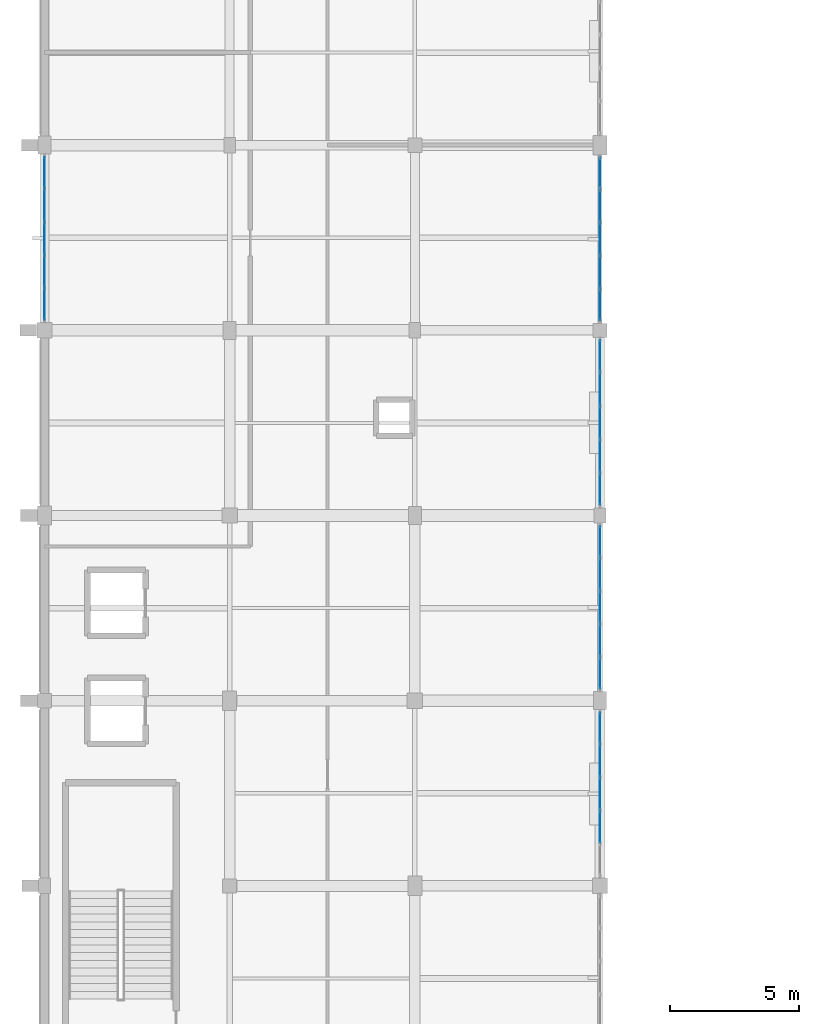
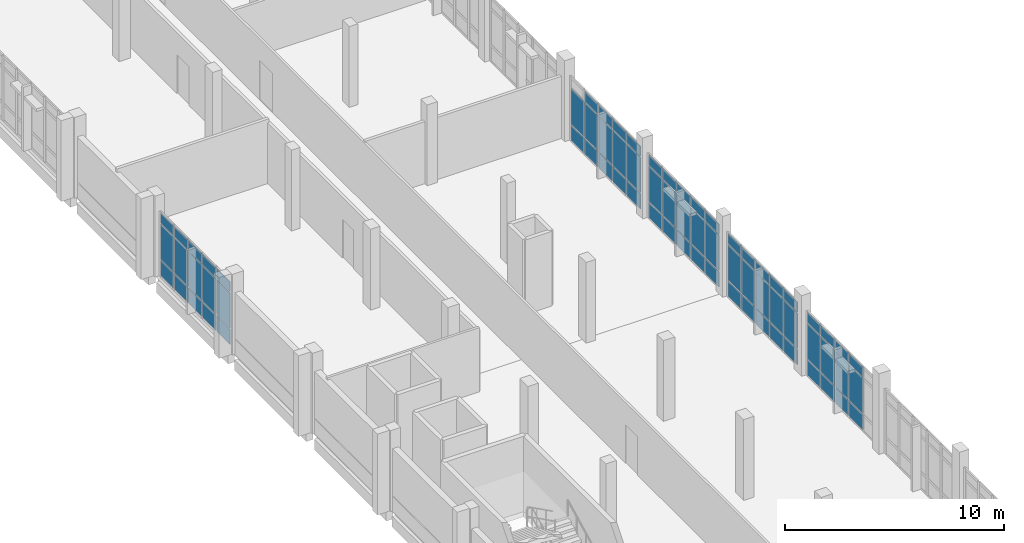
# One storey, part 41 of 57: 71 plates, 5 elements without a shape of their own.
"""IFC4 building model written with IfcOpenShell, lengths in metres."""

from ifc_helpers import new_model, si_unit, direction, frame, origin, origin_2d, place, context, subcontext, project, spatial, rectangle, extrude, material, layer, layer_set, type_object, element, aggregate, save


model = new_model("IFC4")

# Units and contexts
model_context = context("Model", 3, precision=1e-05, world=origin(), true_north=direction((0.0, 1.0)))
body_context = subcontext(model_context, "Body", "Model", "MODEL_VIEW")
ifc_project = project(units=[si_unit("LENGTHUNIT", "METRE"), si_unit("AREAUNIT", "SQUARE_METRE"), si_unit("VOLUMEUNIT", "CUBIC_METRE"), si_unit("PLANEANGLEUNIT", "RADIAN"), si_unit("MASSUNIT", "GRAM", prefix="KILO")], contexts=[model_context])

# Site, building, storey
site_placement = place(None, origin())
site = spatial("IfcSite", under=ifc_project, at=site_placement, CompositionType="ELEMENT")
building_placement = place(site_placement, origin())
building = spatial("IfcBuilding", under=site, at=building_placement, Name="Kalluvel Institute of Natural Sciences", CompositionType="ELEMENT")
storey_placement = place(building_placement, frame((0.0, 0.0, 23.39990234375)))
storey = spatial("IfcBuildingStorey", under=building, at=storey_placement, Name="L05", CompositionType="ELEMENT", Elevation=23.39990234375)

# Curtain wall, plates
ifc_material_1 = material(Name="Aluminium AW-6063 T6", Category="aluminium")
curtain_wall_type = type_object("IfcCurtainWallType", Name="CW-DRY-45", PredefinedType="USERDEFINED", material=ifc_material_1)
curtain_wall_1_placement = place(storey_placement, origin())
curtain_wall_1 = element("IfcCurtainWall", 1, at=curtain_wall_1_placement, inside=storey, type_object=curtain_wall_type, Name="L05 Gothic lancet curtain wall CWA-L05-X140-Y720", ObjectType="UNITISED LANCET FACADE", PredefinedType="USERDEFINED")
ifc_material_2 = material(Name="Solar-Control Low-E Laminated Glass", Category="glass")
ifc_layer = layer(ifc_material_2, 0.031982421875)
ifc_layer_set = layer_set([ifc_layer], Name="Solar-Control Low-E Laminated Glass")
plate_type = type_object("IfcPlateType", Name="CWP-DGU-32", PredefinedType="CURTAIN_PANEL", material=ifc_layer_set)
plate_1_placement = place(storey_placement, frame((14.0, 72.611328125, 0.065185546875), z_axis=(0.0, 0.0, 1.0), x_axis=(0.0, 1.0, 0.0)))
plate_1 = element("IfcPlate", 2, at=plate_1_placement, type_object=plate_type, Name="CW-03 panel 1.1", PredefinedType="CURTAIN_PANEL", context=body_context, shape_type="SweptSolid", body=[
    extrude(rectangle(XDim=1.1923828125, YDim=0.031982421875, at=origin_2d()), origin(), (0.0, 0.0, 1.0), 0.8525390625),
])
plate_2_placement = place(storey_placement, frame((14.0, 72.611328125, 0.982666015625), z_axis=(0.0, 0.0, 1.0), x_axis=(0.0, 1.0, 0.0)))
plate_2 = element("IfcPlate", 3, at=plate_2_placement, type_object=plate_type, Name="CW-03 panel 1.2", PredefinedType="CURTAIN_PANEL", context=body_context, shape_type="SweptSolid", body=[
    extrude(rectangle(XDim=1.1923828125, YDim=0.031982421875, at=origin_2d()), origin(), (0.0, 0.0, 1.0), 1.955078125),
])
plate_3_placement = place(storey_placement, frame((14.0, 72.611328125, 3.00244140625), z_axis=(0.0, 0.0, 1.0), x_axis=(0.0, 1.0, 0.0)))
plate_3 = element("IfcPlate", 4, at=plate_3_placement, type_object=plate_type, Name="CW-03 panel 1.3", PredefinedType="CURTAIN_PANEL", context=body_context, shape_type="SweptSolid", body=[
    extrude(rectangle(XDim=1.1923828125, YDim=0.031982421875, at=origin_2d()), origin(), (0.0, 0.0, 1.0), 0.552490234375),
])
plate_4_placement = place(storey_placement, frame((14.0, 73.885009765625, 0.065185546875), z_axis=(0.0, 0.0, 1.0), x_axis=(0.0, 1.0, 0.0)))
plate_4 = element("IfcPlate", 5, at=plate_4_placement, type_object=plate_type, Name="CW-03 panel 2.1", PredefinedType="CURTAIN_PANEL", context=body_context, shape_type="SweptSolid", body=[
    extrude(rectangle(XDim=1.22509765625, YDim=0.031982421875, at=origin_2d()), origin(), (0.0, 0.0, 1.0), 0.8525390625),
])
plate_5_placement = place(storey_placement, frame((14.0, 73.885009765625, 0.982666015625), z_axis=(0.0, 0.0, 1.0), x_axis=(0.0, 1.0, 0.0)))
plate_5 = element("IfcPlate", 6, at=plate_5_placement, type_object=plate_type, Name="CW-03 panel 2.2", PredefinedType="CURTAIN_PANEL", context=body_context, shape_type="SweptSolid", body=[
    extrude(rectangle(XDim=1.22509765625, YDim=0.031982421875, at=origin_2d()), origin(), (0.0, 0.0, 1.0), 1.955078125),
])
plate_6_placement = place(storey_placement, frame((14.0, 73.885009765625, 3.00244140625), z_axis=(0.0, 0.0, 1.0), x_axis=(0.0, 1.0, 0.0)))
plate_6 = element("IfcPlate", 7, at=plate_6_placement, type_object=plate_type, Name="CW-03 panel 2.3", PredefinedType="CURTAIN_PANEL", context=body_context, shape_type="SweptSolid", body=[
    extrude(rectangle(XDim=1.22509765625, YDim=0.031982421875, at=origin_2d()), origin(), (0.0, 0.0, 1.0), 0.552490234375),
])
plate_7_placement = place(storey_placement, frame((14.0, 75.175048828125, 0.065185546875), z_axis=(0.0, 0.0, 1.0), x_axis=(0.0, 1.0, 0.0)))
plate_7 = element("IfcPlate", 8, at=plate_7_placement, type_object=plate_type, Name="CW-03 panel 3.1", PredefinedType="CURTAIN_PANEL", context=body_context, shape_type="SweptSolid", body=[
    extrude(rectangle(XDim=1.22509765625, YDim=0.031982421875, at=origin_2d()), origin(), (0.0, 0.0, 1.0), 0.8525390625),
])
plate_8_placement = place(storey_placement, frame((14.0, 75.175048828125, 0.982666015625), z_axis=(0.0, 0.0, 1.0), x_axis=(0.0, 1.0, 0.0)))
plate_8 = element("IfcPlate", 9, at=plate_8_placement, type_object=plate_type, Name="CW-03 panel 3.2", PredefinedType="CURTAIN_PANEL", context=body_context, shape_type="SweptSolid", body=[
    extrude(rectangle(XDim=1.22509765625, YDim=0.031982421875, at=origin_2d()), origin(), (0.0, 0.0, 1.0), 1.955078125),
])
plate_9_placement = place(storey_placement, frame((14.0, 75.175048828125, 3.00244140625), z_axis=(0.0, 0.0, 1.0), x_axis=(0.0, 1.0, 0.0)))
plate_9 = element("IfcPlate", 10, at=plate_9_placement, type_object=plate_type, Name="CW-03 panel 3.3", PredefinedType="CURTAIN_PANEL", context=body_context, shape_type="SweptSolid", body=[
    extrude(rectangle(XDim=1.22509765625, YDim=0.031982421875, at=origin_2d()), origin(), (0.0, 0.0, 1.0), 0.552490234375),
])
plate_10_placement = place(storey_placement, frame((14.0, 76.465087890625, 0.065185546875), z_axis=(0.0, 0.0, 1.0), x_axis=(0.0, 1.0, 0.0)))
plate_10 = element("IfcPlate", 11, at=plate_10_placement, type_object=plate_type, Name="CW-03 panel 4.1", PredefinedType="CURTAIN_PANEL", context=body_context, shape_type="SweptSolid", body=[
    extrude(rectangle(XDim=1.22509765625, YDim=0.031982421875, at=origin_2d()), origin(), (0.0, 0.0, 1.0), 0.8525390625),
])
plate_11_placement = place(storey_placement, frame((14.0, 76.465087890625, 0.982666015625), z_axis=(0.0, 0.0, 1.0), x_axis=(0.0, 1.0, 0.0)))
plate_11 = element("IfcPlate", 12, at=plate_11_placement, type_object=plate_type, Name="CW-03 panel 4.2", PredefinedType="CURTAIN_PANEL", context=body_context, shape_type="SweptSolid", body=[
    extrude(rectangle(XDim=1.22509765625, YDim=0.031982421875, at=origin_2d()), origin(), (0.0, 0.0, 1.0), 1.955078125),
])
plate_12_placement = place(storey_placement, frame((14.0, 76.465087890625, 3.00244140625), z_axis=(0.0, 0.0, 1.0), x_axis=(0.0, 1.0, 0.0)))
plate_12 = element("IfcPlate", 13, at=plate_12_placement, type_object=plate_type, Name="CW-03 panel 4.3", PredefinedType="CURTAIN_PANEL", context=body_context, shape_type="SweptSolid", body=[
    extrude(rectangle(XDim=1.22509765625, YDim=0.031982421875, at=origin_2d()), origin(), (0.0, 0.0, 1.0), 0.552490234375),
])
plate_13_placement = place(storey_placement, frame((14.0, 77.73876953125, 0.065185546875), z_axis=(0.0, 0.0, 1.0), x_axis=(0.0, 1.0, 0.0)))
plate_13 = element("IfcPlate", 14, at=plate_13_placement, type_object=plate_type, Name="CW-03 panel 5.1", PredefinedType="CURTAIN_PANEL", context=body_context, shape_type="SweptSolid", body=[
    extrude(rectangle(XDim=1.1923828125, YDim=0.031982421875, at=origin_2d()), origin(), (0.0, 0.0, 1.0), 0.8525390625),
])
plate_14_placement = place(storey_placement, frame((14.0, 77.73876953125, 0.982666015625), z_axis=(0.0, 0.0, 1.0), x_axis=(0.0, 1.0, 0.0)))
plate_14 = element("IfcPlate", 15, at=plate_14_placement, type_object=plate_type, Name="CW-03 panel 5.2", PredefinedType="CURTAIN_PANEL", context=body_context, shape_type="SweptSolid", body=[
    extrude(rectangle(XDim=1.1923828125, YDim=0.031982421875, at=origin_2d()), origin(), (0.0, 0.0, 1.0), 1.955078125),
])
plate_15_placement = place(storey_placement, frame((14.0, 77.73876953125, 3.00244140625), z_axis=(0.0, 0.0, 1.0), x_axis=(0.0, 1.0, 0.0)))
plate_15 = element("IfcPlate", 16, at=plate_15_placement, type_object=plate_type, Name="CW-03 panel 5.3", PredefinedType="CURTAIN_PANEL", context=body_context, shape_type="SweptSolid", body=[
    extrude(rectangle(XDim=1.1923828125, YDim=0.031982421875, at=origin_2d()), origin(), (0.0, 0.0, 1.0), 0.552490234375),
])
aggregate(curtain_wall_1, [plate_1, plate_2, plate_3, plate_4, plate_5, plate_6, plate_7, plate_8, plate_9, plate_10, plate_11, plate_12, plate_13, plate_14, plate_15])

curtain_wall_2_placement = place(storey_placement, origin())
curtain_wall_2 = element("IfcCurtainWall", 17, at=curtain_wall_2_placement, inside=storey, type_object=curtain_wall_type, Name="L05 Gothic lancet curtain wall CWA-L05-X356-Y504", ObjectType="UNITISED LANCET FACADE", PredefinedType="USERDEFINED")
plate_16_placement = place(storey_placement, frame((35.60009765625, 52.284912109375, 0.065185546875), z_axis=(0.0, 0.0, 1.0), x_axis=(0.0, 1.0, 0.0)))
plate_16 = element("IfcPlate", 18, at=plate_16_placement, type_object=plate_type, Name="CW-03 panel 2.1", PredefinedType="CURTAIN_PANEL", context=body_context, shape_type="SweptSolid", body=[
    extrude(rectangle(XDim=1.22509765625, YDim=0.031982421875, at=origin_2d()), origin(), (0.0, 0.0, 1.0), 0.8525390625),
])
plate_17_placement = place(storey_placement, frame((35.60009765625, 52.284912109375, 0.982666015625), z_axis=(0.0, 0.0, 1.0), x_axis=(0.0, 1.0, 0.0)))
plate_17 = element("IfcPlate", 19, at=plate_17_placement, type_object=plate_type, Name="CW-03 panel 2.2", PredefinedType="CURTAIN_PANEL", context=body_context, shape_type="SweptSolid", body=[
    extrude(rectangle(XDim=1.22509765625, YDim=0.031982421875, at=origin_2d()), origin(), (0.0, 0.0, 1.0), 1.955078125),
])
plate_18_placement = place(storey_placement, frame((35.60009765625, 52.284912109375, 3.00244140625), z_axis=(0.0, 0.0, 1.0), x_axis=(0.0, 1.0, 0.0)))
plate_18 = element("IfcPlate", 20, at=plate_18_placement, type_object=plate_type, Name="CW-03 panel 2.3", PredefinedType="CURTAIN_PANEL", context=body_context, shape_type="SweptSolid", body=[
    extrude(rectangle(XDim=1.22509765625, YDim=0.031982421875, at=origin_2d()), origin(), (0.0, 0.0, 1.0), 0.552490234375),
])
plate_19_placement = place(storey_placement, frame((35.60009765625, 53.574951171875, 0.065185546875), z_axis=(0.0, 0.0, 1.0), x_axis=(0.0, 1.0, 0.0)))
plate_19 = element("IfcPlate", 21, at=plate_19_placement, type_object=plate_type, Name="CW-03 panel 3.1", PredefinedType="CURTAIN_PANEL", context=body_context, shape_type="SweptSolid", body=[
    extrude(rectangle(XDim=1.22509765625, YDim=0.031982421875, at=origin_2d()), origin(), (0.0, 0.0, 1.0), 0.8525390625),
])
plate_20_placement = place(storey_placement, frame((35.60009765625, 53.574951171875, 0.982666015625), z_axis=(0.0, 0.0, 1.0), x_axis=(0.0, 1.0, 0.0)))
plate_20 = element("IfcPlate", 22, at=plate_20_placement, type_object=plate_type, Name="CW-03 panel 3.2", PredefinedType="CURTAIN_PANEL", context=body_context, shape_type="SweptSolid", body=[
    extrude(rectangle(XDim=1.22509765625, YDim=0.031982421875, at=origin_2d()), origin(), (0.0, 0.0, 1.0), 1.955078125),
])
plate_21_placement = place(storey_placement, frame((35.60009765625, 53.574951171875, 3.00244140625), z_axis=(0.0, 0.0, 1.0), x_axis=(0.0, 1.0, 0.0)))
plate_21 = element("IfcPlate", 23, at=plate_21_placement, type_object=plate_type, Name="CW-03 panel 3.3", PredefinedType="CURTAIN_PANEL", context=body_context, shape_type="SweptSolid", body=[
    extrude(rectangle(XDim=1.22509765625, YDim=0.031982421875, at=origin_2d()), origin(), (0.0, 0.0, 1.0), 0.552490234375),
])
plate_22_placement = place(storey_placement, frame((35.60009765625, 54.864990234375, 0.065185546875), z_axis=(0.0, 0.0, 1.0), x_axis=(0.0, 1.0, 0.0)))
plate_22 = element("IfcPlate", 24, at=plate_22_placement, type_object=plate_type, Name="CW-03 panel 4.1", PredefinedType="CURTAIN_PANEL", context=body_context, shape_type="SweptSolid", body=[
    extrude(rectangle(XDim=1.22509765625, YDim=0.031982421875, at=origin_2d()), origin(), (0.0, 0.0, 1.0), 0.8525390625),
])
plate_23_placement = place(storey_placement, frame((35.60009765625, 54.864990234375, 0.982666015625), z_axis=(0.0, 0.0, 1.0), x_axis=(0.0, 1.0, 0.0)))
plate_23 = element("IfcPlate", 25, at=plate_23_placement, type_object=plate_type, Name="CW-03 panel 4.2", PredefinedType="CURTAIN_PANEL", context=body_context, shape_type="SweptSolid", body=[
    extrude(rectangle(XDim=1.22509765625, YDim=0.031982421875, at=origin_2d()), origin(), (0.0, 0.0, 1.0), 1.955078125),
])
plate_24_placement = place(storey_placement, frame((35.60009765625, 54.864990234375, 3.00244140625), z_axis=(0.0, 0.0, 1.0), x_axis=(0.0, 1.0, 0.0)))
plate_24 = element("IfcPlate", 26, at=plate_24_placement, type_object=plate_type, Name="CW-03 panel 4.3", PredefinedType="CURTAIN_PANEL", context=body_context, shape_type="SweptSolid", body=[
    extrude(rectangle(XDim=1.22509765625, YDim=0.031982421875, at=origin_2d()), origin(), (0.0, 0.0, 1.0), 0.552490234375),
])
plate_25_placement = place(storey_placement, frame((35.60009765625, 56.138671875, 0.065185546875), z_axis=(0.0, 0.0, 1.0), x_axis=(0.0, 1.0, 0.0)))
plate_25 = element("IfcPlate", 27, at=plate_25_placement, type_object=plate_type, Name="CW-03 panel 5.1", PredefinedType="CURTAIN_PANEL", context=body_context, shape_type="SweptSolid", body=[
    extrude(rectangle(XDim=1.1923828125, YDim=0.031982421875, at=origin_2d()), origin(), (0.0, 0.0, 1.0), 0.8525390625),
])
plate_26_placement = place(storey_placement, frame((35.60009765625, 56.138671875, 0.982666015625), z_axis=(0.0, 0.0, 1.0), x_axis=(0.0, 1.0, 0.0)))
plate_26 = element("IfcPlate", 28, at=plate_26_placement, type_object=plate_type, Name="CW-03 panel 5.2", PredefinedType="CURTAIN_PANEL", context=body_context, shape_type="SweptSolid", body=[
    extrude(rectangle(XDim=1.1923828125, YDim=0.031982421875, at=origin_2d()), origin(), (0.0, 0.0, 1.0), 1.955078125),
])
plate_27_placement = place(storey_placement, frame((35.60009765625, 56.138671875, 3.00244140625), z_axis=(0.0, 0.0, 1.0), x_axis=(0.0, 1.0, 0.0)))
plate_27 = element("IfcPlate", 29, at=plate_27_placement, type_object=plate_type, Name="CW-03 panel 5.3", PredefinedType="CURTAIN_PANEL", context=body_context, shape_type="SweptSolid", body=[
    extrude(rectangle(XDim=1.1923828125, YDim=0.031982421875, at=origin_2d()), origin(), (0.0, 0.0, 1.0), 0.552490234375),
])
aggregate(curtain_wall_2, [plate_16, plate_17, plate_18, plate_19, plate_20, plate_21, plate_22, plate_23, plate_24, plate_25, plate_26, plate_27])

curtain_wall_3_placement = place(storey_placement, origin())
curtain_wall_3 = element("IfcCurtainWall", 30, at=curtain_wall_3_placement, inside=storey, type_object=curtain_wall_type, Name="L05 Gothic lancet curtain wall CWA-L05-X356-Y576", ObjectType="UNITISED LANCET FACADE", PredefinedType="USERDEFINED")
plate_28_placement = place(storey_placement, frame((35.60009765625, 58.26123046875, 0.065185546875), z_axis=(0.0, 0.0, 1.0), x_axis=(0.0, 1.0, 0.0)))
plate_28 = element("IfcPlate", 31, at=plate_28_placement, type_object=plate_type, Name="CW-03 panel 1.1", PredefinedType="CURTAIN_PANEL", context=body_context, shape_type="SweptSolid", body=[
    extrude(rectangle(XDim=1.1923828125, YDim=0.031982421875, at=origin_2d()), origin(), (0.0, 0.0, 1.0), 0.8525390625),
])
plate_29_placement = place(storey_placement, frame((35.60009765625, 58.26123046875, 0.982666015625), z_axis=(0.0, 0.0, 1.0), x_axis=(0.0, 1.0, 0.0)))
plate_29 = element("IfcPlate", 32, at=plate_29_placement, type_object=plate_type, Name="CW-03 panel 1.2", PredefinedType="CURTAIN_PANEL", context=body_context, shape_type="SweptSolid", body=[
    extrude(rectangle(XDim=1.1923828125, YDim=0.031982421875, at=origin_2d()), origin(), (0.0, 0.0, 1.0), 1.955078125),
])
plate_30_placement = place(storey_placement, frame((35.60009765625, 58.26123046875, 3.00244140625), z_axis=(0.0, 0.0, 1.0), x_axis=(0.0, 1.0, 0.0)))
plate_30 = element("IfcPlate", 33, at=plate_30_placement, type_object=plate_type, Name="CW-03 panel 1.3", PredefinedType="CURTAIN_PANEL", context=body_context, shape_type="SweptSolid", body=[
    extrude(rectangle(XDim=1.1923828125, YDim=0.031982421875, at=origin_2d()), origin(), (0.0, 0.0, 1.0), 0.552490234375),
])
plate_31_placement = place(storey_placement, frame((35.60009765625, 59.534912109375, 0.065185546875), z_axis=(0.0, 0.0, 1.0), x_axis=(0.0, 1.0, 0.0)))
plate_31 = element("IfcPlate", 34, at=plate_31_placement, type_object=plate_type, Name="CW-03 panel 2.1", PredefinedType="CURTAIN_PANEL", context=body_context, shape_type="SweptSolid", body=[
    extrude(rectangle(XDim=1.22509765625, YDim=0.031982421875, at=origin_2d()), origin(), (0.0, 0.0, 1.0), 0.8525390625),
])
plate_32_placement = place(storey_placement, frame((35.60009765625, 59.534912109375, 0.982666015625), z_axis=(0.0, 0.0, 1.0), x_axis=(0.0, 1.0, 0.0)))
plate_32 = element("IfcPlate", 35, at=plate_32_placement, type_object=plate_type, Name="CW-03 panel 2.2", PredefinedType="CURTAIN_PANEL", context=body_context, shape_type="SweptSolid", body=[
    extrude(rectangle(XDim=1.22509765625, YDim=0.031982421875, at=origin_2d()), origin(), (0.0, 0.0, 1.0), 1.955078125),
])
plate_33_placement = place(storey_placement, frame((35.60009765625, 59.534912109375, 3.00244140625), z_axis=(0.0, 0.0, 1.0), x_axis=(0.0, 1.0, 0.0)))
plate_33 = element("IfcPlate", 36, at=plate_33_placement, type_object=plate_type, Name="CW-03 panel 2.3", PredefinedType="CURTAIN_PANEL", context=body_context, shape_type="SweptSolid", body=[
    extrude(rectangle(XDim=1.22509765625, YDim=0.031982421875, at=origin_2d()), origin(), (0.0, 0.0, 1.0), 0.552490234375),
])
plate_34_placement = place(storey_placement, frame((35.60009765625, 60.824951171875, 0.065185546875), z_axis=(0.0, 0.0, 1.0), x_axis=(0.0, 1.0, 0.0)))
plate_34 = element("IfcPlate", 37, at=plate_34_placement, type_object=plate_type, Name="CW-03 panel 3.1", PredefinedType="CURTAIN_PANEL", context=body_context, shape_type="SweptSolid", body=[
    extrude(rectangle(XDim=1.22509765625, YDim=0.031982421875, at=origin_2d()), origin(), (0.0, 0.0, 1.0), 0.8525390625),
])
plate_35_placement = place(storey_placement, frame((35.60009765625, 60.824951171875, 0.982666015625), z_axis=(0.0, 0.0, 1.0), x_axis=(0.0, 1.0, 0.0)))
plate_35 = element("IfcPlate", 38, at=plate_35_placement, type_object=plate_type, Name="CW-03 panel 3.2", PredefinedType="CURTAIN_PANEL", context=body_context, shape_type="SweptSolid", body=[
    extrude(rectangle(XDim=1.22509765625, YDim=0.031982421875, at=origin_2d()), origin(), (0.0, 0.0, 1.0), 1.955078125),
])
plate_36_placement = place(storey_placement, frame((35.60009765625, 60.824951171875, 3.00244140625), z_axis=(0.0, 0.0, 1.0), x_axis=(0.0, 1.0, 0.0)))
plate_36 = element("IfcPlate", 39, at=plate_36_placement, type_object=plate_type, Name="CW-03 panel 3.3", PredefinedType="CURTAIN_PANEL", context=body_context, shape_type="SweptSolid", body=[
    extrude(rectangle(XDim=1.22509765625, YDim=0.031982421875, at=origin_2d()), origin(), (0.0, 0.0, 1.0), 0.552490234375),
])
plate_37_placement = place(storey_placement, frame((35.60009765625, 62.114990234375, 0.065185546875), z_axis=(0.0, 0.0, 1.0), x_axis=(0.0, 1.0, 0.0)))
plate_37 = element("IfcPlate", 40, at=plate_37_placement, type_object=plate_type, Name="CW-03 panel 4.1", PredefinedType="CURTAIN_PANEL", context=body_context, shape_type="SweptSolid", body=[
    extrude(rectangle(XDim=1.22509765625, YDim=0.031982421875, at=origin_2d()), origin(), (0.0, 0.0, 1.0), 0.8525390625),
])
plate_38_placement = place(storey_placement, frame((35.60009765625, 62.114990234375, 0.982666015625), z_axis=(0.0, 0.0, 1.0), x_axis=(0.0, 1.0, 0.0)))
plate_38 = element("IfcPlate", 41, at=plate_38_placement, type_object=plate_type, Name="CW-03 panel 4.2", PredefinedType="CURTAIN_PANEL", context=body_context, shape_type="SweptSolid", body=[
    extrude(rectangle(XDim=1.22509765625, YDim=0.031982421875, at=origin_2d()), origin(), (0.0, 0.0, 1.0), 1.955078125),
])
plate_39_placement = place(storey_placement, frame((35.60009765625, 62.114990234375, 3.00244140625), z_axis=(0.0, 0.0, 1.0), x_axis=(0.0, 1.0, 0.0)))
plate_39 = element("IfcPlate", 42, at=plate_39_placement, type_object=plate_type, Name="CW-03 panel 4.3", PredefinedType="CURTAIN_PANEL", context=body_context, shape_type="SweptSolid", body=[
    extrude(rectangle(XDim=1.22509765625, YDim=0.031982421875, at=origin_2d()), origin(), (0.0, 0.0, 1.0), 0.552490234375),
])
plate_40_placement = place(storey_placement, frame((35.60009765625, 63.388671875, 0.065185546875), z_axis=(0.0, 0.0, 1.0), x_axis=(0.0, 1.0, 0.0)))
plate_40 = element("IfcPlate", 43, at=plate_40_placement, type_object=plate_type, Name="CW-03 panel 5.1", PredefinedType="CURTAIN_PANEL", context=body_context, shape_type="SweptSolid", body=[
    extrude(rectangle(XDim=1.1923828125, YDim=0.031982421875, at=origin_2d()), origin(), (0.0, 0.0, 1.0), 0.8525390625),
])
plate_41_placement = place(storey_placement, frame((35.60009765625, 63.388671875, 0.982666015625), z_axis=(0.0, 0.0, 1.0), x_axis=(0.0, 1.0, 0.0)))
plate_41 = element("IfcPlate", 44, at=plate_41_placement, type_object=plate_type, Name="CW-03 panel 5.2", PredefinedType="CURTAIN_PANEL", context=body_context, shape_type="SweptSolid", body=[
    extrude(rectangle(XDim=1.1923828125, YDim=0.031982421875, at=origin_2d()), origin(), (0.0, 0.0, 1.0), 1.955078125),
])
plate_42_placement = place(storey_placement, frame((35.60009765625, 63.388671875, 3.00244140625), z_axis=(0.0, 0.0, 1.0), x_axis=(0.0, 1.0, 0.0)))
plate_42 = element("IfcPlate", 45, at=plate_42_placement, type_object=plate_type, Name="CW-03 panel 5.3", PredefinedType="CURTAIN_PANEL", context=body_context, shape_type="SweptSolid", body=[
    extrude(rectangle(XDim=1.1923828125, YDim=0.031982421875, at=origin_2d()), origin(), (0.0, 0.0, 1.0), 0.552490234375),
])
aggregate(curtain_wall_3, [plate_28, plate_29, plate_30, plate_31, plate_32, plate_33, plate_34, plate_35, plate_36, plate_37, plate_38, plate_39, plate_40, plate_41, plate_42])

curtain_wall_4_placement = place(storey_placement, origin())
curtain_wall_4 = element("IfcCurtainWall", 46, at=curtain_wall_4_placement, inside=storey, type_object=curtain_wall_type, Name="L05 Gothic lancet curtain wall CWA-L05-X356-Y648", ObjectType="UNITISED LANCET FACADE", PredefinedType="USERDEFINED")
plate_43_placement = place(storey_placement, frame((35.60009765625, 65.418701171875, 0.065185546875), z_axis=(0.0, 0.0, 1.0), x_axis=(0.0, 1.0, 0.0)))
plate_43 = element("IfcPlate", 47, at=plate_43_placement, type_object=plate_type, Name="CW-03 panel 1.1", PredefinedType="CURTAIN_PANEL", context=body_context, shape_type="SweptSolid", body=[
    extrude(rectangle(XDim=1.20751953125, YDim=0.031982421875, at=origin_2d()), origin(), (0.0, 0.0, 1.0), 0.8525390625),
])
plate_44_placement = place(storey_placement, frame((35.60009765625, 65.418701171875, 0.982666015625), z_axis=(0.0, 0.0, 1.0), x_axis=(0.0, 1.0, 0.0)))
plate_44 = element("IfcPlate", 48, at=plate_44_placement, type_object=plate_type, Name="CW-03 panel 1.2", PredefinedType="CURTAIN_PANEL", context=body_context, shape_type="SweptSolid", body=[
    extrude(rectangle(XDim=1.20751953125, YDim=0.031982421875, at=origin_2d()), origin(), (0.0, 0.0, 1.0), 1.955078125),
])
plate_45_placement = place(storey_placement, frame((35.60009765625, 65.418701171875, 3.00244140625), z_axis=(0.0, 0.0, 1.0), x_axis=(0.0, 1.0, 0.0)))
plate_45 = element("IfcPlate", 49, at=plate_45_placement, type_object=plate_type, Name="CW-03 panel 1.3", PredefinedType="CURTAIN_PANEL", context=body_context, shape_type="SweptSolid", body=[
    extrude(rectangle(XDim=1.20751953125, YDim=0.031982421875, at=origin_2d()), origin(), (0.0, 0.0, 1.0), 0.552490234375),
])
plate_46_placement = place(storey_placement, frame((35.60009765625, 66.70751953125, 0.065185546875), z_axis=(0.0, 0.0, 1.0), x_axis=(0.0, 1.0, 0.0)))
plate_46 = element("IfcPlate", 50, at=plate_46_placement, type_object=plate_type, Name="CW-03 panel 2.1", PredefinedType="CURTAIN_PANEL", context=body_context, shape_type="SweptSolid", body=[
    extrude(rectangle(XDim=1.239990234375, YDim=0.031982421875, at=origin_2d()), origin(), (0.0, 0.0, 1.0), 0.8525390625),
])
plate_47_placement = place(storey_placement, frame((35.60009765625, 66.70751953125, 0.982666015625), z_axis=(0.0, 0.0, 1.0), x_axis=(0.0, 1.0, 0.0)))
plate_47 = element("IfcPlate", 51, at=plate_47_placement, type_object=plate_type, Name="CW-03 panel 2.2", PredefinedType="CURTAIN_PANEL", context=body_context, shape_type="SweptSolid", body=[
    extrude(rectangle(XDim=1.239990234375, YDim=0.031982421875, at=origin_2d()), origin(), (0.0, 0.0, 1.0), 1.955078125),
])
plate_48_placement = place(storey_placement, frame((35.60009765625, 66.70751953125, 3.00244140625), z_axis=(0.0, 0.0, 1.0), x_axis=(0.0, 1.0, 0.0)))
plate_48 = element("IfcPlate", 52, at=plate_48_placement, type_object=plate_type, Name="CW-03 panel 2.3", PredefinedType="CURTAIN_PANEL", context=body_context, shape_type="SweptSolid", body=[
    extrude(rectangle(XDim=1.239990234375, YDim=0.031982421875, at=origin_2d()), origin(), (0.0, 0.0, 1.0), 0.552490234375),
])
plate_49_placement = place(storey_placement, frame((35.60009765625, 68.012451171875, 0.065185546875), z_axis=(0.0, 0.0, 1.0), x_axis=(0.0, 1.0, 0.0)))
plate_49 = element("IfcPlate", 53, at=plate_49_placement, type_object=plate_type, Name="CW-03 panel 3.1", PredefinedType="CURTAIN_PANEL", context=body_context, shape_type="SweptSolid", body=[
    extrude(rectangle(XDim=1.239990234375, YDim=0.031982421875, at=origin_2d()), origin(), (0.0, 0.0, 1.0), 0.8525390625),
])
plate_50_placement = place(storey_placement, frame((35.60009765625, 68.012451171875, 0.982666015625), z_axis=(0.0, 0.0, 1.0), x_axis=(0.0, 1.0, 0.0)))
plate_50 = element("IfcPlate", 54, at=plate_50_placement, type_object=plate_type, Name="CW-03 panel 3.2", PredefinedType="CURTAIN_PANEL", context=body_context, shape_type="SweptSolid", body=[
    extrude(rectangle(XDim=1.239990234375, YDim=0.031982421875, at=origin_2d()), origin(), (0.0, 0.0, 1.0), 1.955078125),
])
plate_51_placement = place(storey_placement, frame((35.60009765625, 68.012451171875, 3.00244140625), z_axis=(0.0, 0.0, 1.0), x_axis=(0.0, 1.0, 0.0)))
plate_51 = element("IfcPlate", 55, at=plate_51_placement, type_object=plate_type, Name="CW-03 panel 3.3", PredefinedType="CURTAIN_PANEL", context=body_context, shape_type="SweptSolid", body=[
    extrude(rectangle(XDim=1.239990234375, YDim=0.031982421875, at=origin_2d()), origin(), (0.0, 0.0, 1.0), 0.552490234375),
])
plate_52_placement = place(storey_placement, frame((35.60009765625, 69.3173828125, 0.065185546875), z_axis=(0.0, 0.0, 1.0), x_axis=(0.0, 1.0, 0.0)))
plate_52 = element("IfcPlate", 56, at=plate_52_placement, type_object=plate_type, Name="CW-03 panel 4.1", PredefinedType="CURTAIN_PANEL", context=body_context, shape_type="SweptSolid", body=[
    extrude(rectangle(XDim=1.239990234375, YDim=0.031982421875, at=origin_2d()), origin(), (0.0, 0.0, 1.0), 0.8525390625),
])
plate_53_placement = place(storey_placement, frame((35.60009765625, 69.3173828125, 0.982666015625), z_axis=(0.0, 0.0, 1.0), x_axis=(0.0, 1.0, 0.0)))
plate_53 = element("IfcPlate", 57, at=plate_53_placement, type_object=plate_type, Name="CW-03 panel 4.2", PredefinedType="CURTAIN_PANEL", context=body_context, shape_type="SweptSolid", body=[
    extrude(rectangle(XDim=1.239990234375, YDim=0.031982421875, at=origin_2d()), origin(), (0.0, 0.0, 1.0), 1.955078125),
])
plate_54_placement = place(storey_placement, frame((35.60009765625, 69.3173828125, 3.00244140625), z_axis=(0.0, 0.0, 1.0), x_axis=(0.0, 1.0, 0.0)))
plate_54 = element("IfcPlate", 58, at=plate_54_placement, type_object=plate_type, Name="CW-03 panel 4.3", PredefinedType="CURTAIN_PANEL", context=body_context, shape_type="SweptSolid", body=[
    extrude(rectangle(XDim=1.239990234375, YDim=0.031982421875, at=origin_2d()), origin(), (0.0, 0.0, 1.0), 0.552490234375),
])
plate_55_placement = place(storey_placement, frame((35.60009765625, 70.606201171875, 0.065185546875), z_axis=(0.0, 0.0, 1.0), x_axis=(0.0, 1.0, 0.0)))
plate_55 = element("IfcPlate", 59, at=plate_55_placement, type_object=plate_type, Name="CW-03 panel 5.1", PredefinedType="CURTAIN_PANEL", context=body_context, shape_type="SweptSolid", body=[
    extrude(rectangle(XDim=1.20751953125, YDim=0.031982421875, at=origin_2d()), origin(), (0.0, 0.0, 1.0), 0.8525390625),
])
plate_56_placement = place(storey_placement, frame((35.60009765625, 70.606201171875, 0.982666015625), z_axis=(0.0, 0.0, 1.0), x_axis=(0.0, 1.0, 0.0)))
plate_56 = element("IfcPlate", 60, at=plate_56_placement, type_object=plate_type, Name="CW-03 panel 5.2", PredefinedType="CURTAIN_PANEL", context=body_context, shape_type="SweptSolid", body=[
    extrude(rectangle(XDim=1.20751953125, YDim=0.031982421875, at=origin_2d()), origin(), (0.0, 0.0, 1.0), 1.955078125),
])
plate_57_placement = place(storey_placement, frame((35.60009765625, 70.606201171875, 3.00244140625), z_axis=(0.0, 0.0, 1.0), x_axis=(0.0, 1.0, 0.0)))
plate_57 = element("IfcPlate", 61, at=plate_57_placement, type_object=plate_type, Name="CW-03 panel 5.3", PredefinedType="CURTAIN_PANEL", context=body_context, shape_type="SweptSolid", body=[
    extrude(rectangle(XDim=1.20751953125, YDim=0.031982421875, at=origin_2d()), origin(), (0.0, 0.0, 1.0), 0.552490234375),
])
aggregate(curtain_wall_4, [plate_43, plate_44, plate_45, plate_46, plate_47, plate_48, plate_49, plate_50, plate_51, plate_52, plate_53, plate_54, plate_55, plate_56, plate_57])

curtain_wall_5_placement = place(storey_placement, origin())
curtain_wall_5 = element("IfcCurtainWall", 62, at=curtain_wall_5_placement, inside=storey, type_object=curtain_wall_type, Name="L05 Gothic lancet curtain wall CWA-L05-X356-Y719", ObjectType="UNITISED LANCET FACADE", PredefinedType="USERDEFINED")
plate_58_placement = place(storey_placement, frame((35.60009765625, 72.586181640625, 0.065185546875), z_axis=(0.0, 0.0, 1.0), x_axis=(0.0, 1.0, 0.0)))
plate_58 = element("IfcPlate", 63, at=plate_58_placement, type_object=plate_type, Name="CW-03 panel 1.1", PredefinedType="CURTAIN_PANEL", context=body_context, shape_type="SweptSolid", body=[
    extrude(rectangle(XDim=1.1923828125, YDim=0.031982421875, at=origin_2d()), origin(), (0.0, 0.0, 1.0), 0.8525390625),
])
plate_59_placement = place(storey_placement, frame((35.60009765625, 72.586181640625, 0.982666015625), z_axis=(0.0, 0.0, 1.0), x_axis=(0.0, 1.0, 0.0)))
plate_59 = element("IfcPlate", 64, at=plate_59_placement, type_object=plate_type, Name="CW-03 panel 1.2", PredefinedType="CURTAIN_PANEL", context=body_context, shape_type="SweptSolid", body=[
    extrude(rectangle(XDim=1.1923828125, YDim=0.031982421875, at=origin_2d()), origin(), (0.0, 0.0, 1.0), 1.955078125),
])
plate_60_placement = place(storey_placement, frame((35.60009765625, 72.586181640625, 3.00244140625), z_axis=(0.0, 0.0, 1.0), x_axis=(0.0, 1.0, 0.0)))
plate_60 = element("IfcPlate", 65, at=plate_60_placement, type_object=plate_type, Name="CW-03 panel 1.3", PredefinedType="CURTAIN_PANEL", context=body_context, shape_type="SweptSolid", body=[
    extrude(rectangle(XDim=1.1923828125, YDim=0.031982421875, at=origin_2d()), origin(), (0.0, 0.0, 1.0), 0.552490234375),
])
plate_61_placement = place(storey_placement, frame((35.60009765625, 73.860107421875, 0.065185546875), z_axis=(0.0, 0.0, 1.0), x_axis=(0.0, 1.0, 0.0)))
plate_61 = element("IfcPlate", 66, at=plate_61_placement, type_object=plate_type, Name="CW-03 panel 2.1", PredefinedType="CURTAIN_PANEL", context=body_context, shape_type="SweptSolid", body=[
    extrude(rectangle(XDim=1.22509765625, YDim=0.031982421875, at=origin_2d()), origin(), (0.0, 0.0, 1.0), 0.8525390625),
])
plate_62_placement = place(storey_placement, frame((35.60009765625, 73.860107421875, 0.982666015625), z_axis=(0.0, 0.0, 1.0), x_axis=(0.0, 1.0, 0.0)))
plate_62 = element("IfcPlate", 67, at=plate_62_placement, type_object=plate_type, Name="CW-03 panel 2.2", PredefinedType="CURTAIN_PANEL", context=body_context, shape_type="SweptSolid", body=[
    extrude(rectangle(XDim=1.22509765625, YDim=0.031982421875, at=origin_2d()), origin(), (0.0, 0.0, 1.0), 1.955078125),
])
plate_63_placement = place(storey_placement, frame((35.60009765625, 73.860107421875, 3.00244140625), z_axis=(0.0, 0.0, 1.0), x_axis=(0.0, 1.0, 0.0)))
plate_63 = element("IfcPlate", 68, at=plate_63_placement, type_object=plate_type, Name="CW-03 panel 2.3", PredefinedType="CURTAIN_PANEL", context=body_context, shape_type="SweptSolid", body=[
    extrude(rectangle(XDim=1.22509765625, YDim=0.031982421875, at=origin_2d()), origin(), (0.0, 0.0, 1.0), 0.552490234375),
])
plate_64_placement = place(storey_placement, frame((35.60009765625, 75.14990234375, 0.065185546875), z_axis=(0.0, 0.0, 1.0), x_axis=(0.0, 1.0, 0.0)))
plate_64 = element("IfcPlate", 69, at=plate_64_placement, type_object=plate_type, Name="CW-03 panel 3.1", PredefinedType="CURTAIN_PANEL", context=body_context, shape_type="SweptSolid", body=[
    extrude(rectangle(XDim=1.22509765625, YDim=0.031982421875, at=origin_2d()), origin(), (0.0, 0.0, 1.0), 0.8525390625),
])
plate_65_placement = place(storey_placement, frame((35.60009765625, 75.14990234375, 0.982666015625), z_axis=(0.0, 0.0, 1.0), x_axis=(0.0, 1.0, 0.0)))
plate_65 = element("IfcPlate", 70, at=plate_65_placement, type_object=plate_type, Name="CW-03 panel 3.2", PredefinedType="CURTAIN_PANEL", context=body_context, shape_type="SweptSolid", body=[
    extrude(rectangle(XDim=1.22509765625, YDim=0.031982421875, at=origin_2d()), origin(), (0.0, 0.0, 1.0), 1.955078125),
])
plate_66_placement = place(storey_placement, frame((35.60009765625, 75.14990234375, 3.00244140625), z_axis=(0.0, 0.0, 1.0), x_axis=(0.0, 1.0, 0.0)))
plate_66 = element("IfcPlate", 71, at=plate_66_placement, type_object=plate_type, Name="CW-03 panel 3.3", PredefinedType="CURTAIN_PANEL", context=body_context, shape_type="SweptSolid", body=[
    extrude(rectangle(XDim=1.22509765625, YDim=0.031982421875, at=origin_2d()), origin(), (0.0, 0.0, 1.0), 0.552490234375),
])
plate_67_placement = place(storey_placement, frame((35.60009765625, 76.43994140625, 0.065185546875), z_axis=(0.0, 0.0, 1.0), x_axis=(0.0, 1.0, 0.0)))
plate_67 = element("IfcPlate", 72, at=plate_67_placement, type_object=plate_type, Name="CW-03 panel 4.1", PredefinedType="CURTAIN_PANEL", context=body_context, shape_type="SweptSolid", body=[
    extrude(rectangle(XDim=1.22509765625, YDim=0.031982421875, at=origin_2d()), origin(), (0.0, 0.0, 1.0), 0.8525390625),
])
plate_68_placement = place(storey_placement, frame((35.60009765625, 76.43994140625, 0.982666015625), z_axis=(0.0, 0.0, 1.0), x_axis=(0.0, 1.0, 0.0)))
plate_68 = element("IfcPlate", 73, at=plate_68_placement, type_object=plate_type, Name="CW-03 panel 4.2", PredefinedType="CURTAIN_PANEL", context=body_context, shape_type="SweptSolid", body=[
    extrude(rectangle(XDim=1.22509765625, YDim=0.031982421875, at=origin_2d()), origin(), (0.0, 0.0, 1.0), 1.955078125),
])
plate_69_placement = place(storey_placement, frame((35.60009765625, 76.43994140625, 3.00244140625), z_axis=(0.0, 0.0, 1.0), x_axis=(0.0, 1.0, 0.0)))
plate_69 = element("IfcPlate", 74, at=plate_69_placement, type_object=plate_type, Name="CW-03 panel 4.3", PredefinedType="CURTAIN_PANEL", context=body_context, shape_type="SweptSolid", body=[
    extrude(rectangle(XDim=1.22509765625, YDim=0.031982421875, at=origin_2d()), origin(), (0.0, 0.0, 1.0), 0.552490234375),
])
plate_70_placement = place(storey_placement, frame((35.60009765625, 77.7138671875, 0.065185546875), z_axis=(0.0, 0.0, 1.0), x_axis=(0.0, 1.0, 0.0)))
plate_70 = element("IfcPlate", 75, at=plate_70_placement, type_object=plate_type, Name="CW-03 panel 5.1", PredefinedType="CURTAIN_PANEL", context=body_context, shape_type="SweptSolid", body=[
    extrude(rectangle(XDim=1.1923828125, YDim=0.031982421875, at=origin_2d()), origin(), (0.0, 0.0, 1.0), 0.8525390625),
])
plate_71_placement = place(storey_placement, frame((35.60009765625, 77.7138671875, 0.982666015625), z_axis=(0.0, 0.0, 1.0), x_axis=(0.0, 1.0, 0.0)))
plate_71 = element("IfcPlate", 76, at=plate_71_placement, type_object=plate_type, Name="CW-03 panel 5.2", PredefinedType="CURTAIN_PANEL", context=body_context, shape_type="SweptSolid", body=[
    extrude(rectangle(XDim=1.1923828125, YDim=0.031982421875, at=origin_2d()), origin(), (0.0, 0.0, 1.0), 1.955078125),
])
aggregate(curtain_wall_5, [plate_58, plate_59, plate_60, plate_61, plate_62, plate_63, plate_64, plate_65, plate_66, plate_67, plate_68, plate_69, plate_70, plate_71])

save(model, "model.ifc")
